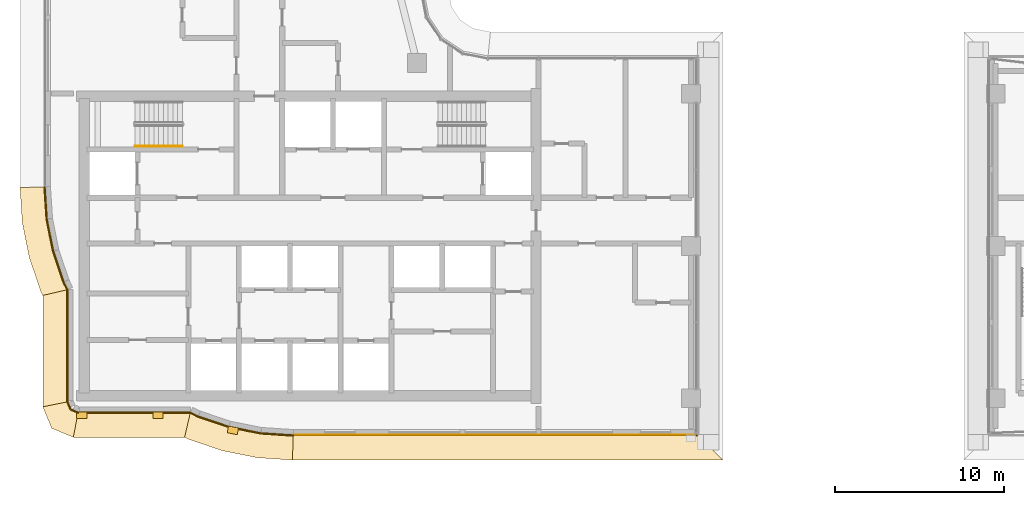
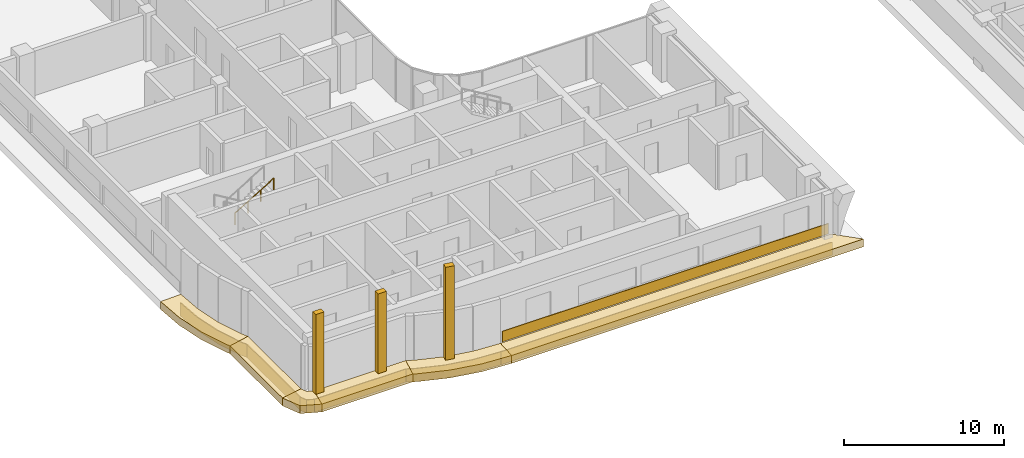
# One storey, part 17 of 26: 16 coverings, 1 railing.
"""IFC4 building model written with IfcOpenShell, lengths in metres."""

from ifc_helpers import new_model, si_unit, direction, frame, origin, origin_2d, place, context, subcontext, project, spatial, polyline, rectangle, circle, outline, extrude, material, layer, layer_set, type_object, element, save


model = new_model("IFC4")

# Units and contexts
model_context = context("Model", 3, precision=1e-05, world=origin(), true_north=direction((0.0, 1.0)))
body_context = subcontext(model_context, "Body", "Model", "MODEL_VIEW")
ifc_project = project(units=[si_unit("LENGTHUNIT", "METRE"), si_unit("AREAUNIT", "SQUARE_METRE"), si_unit("VOLUMEUNIT", "CUBIC_METRE"), si_unit("PLANEANGLEUNIT", "RADIAN"), si_unit("MASSUNIT", "GRAM", prefix="KILO")], contexts=[model_context])

# Site, building, storey
site_placement = place(None, origin())
site = spatial("IfcSite", under=ifc_project, at=site_placement, CompositionType="ELEMENT")
building_placement = place(site_placement, origin())
building = spatial("IfcBuilding", under=site, at=building_placement, Name="Ogive Portal Towers", CompositionType="ELEMENT")
storey_placement = place(building_placement, frame((0.0, 0.0, 171.800048828125)))
storey = spatial("IfcBuildingStorey", under=building, at=storey_placement, Name="L42", CompositionType="ELEMENT", Elevation=171.800048828125)

# Railing
ifc_material_1 = material(Name="Stainless steel handrail", Category="steel")
railing_type = type_object("IfcRailingType", Name="INT-HANDRAIL", PredefinedType="HANDRAIL", material=ifc_material_1)
railing_placement = place(storey_placement, frame((34.64990234375, 36.39990234375, 2.01806640625)))
element("IfcRailing", 1, at=railing_placement, inside=storey, type_object=railing_type, Name="L42 ST-A1 stair handrail 2", PredefinedType="HANDRAIL", context=body_context, shape_type="SweptSolid", body=[
    extrude(circle(Radius=0.02392578125, at=origin_2d()), frame((0.0, 0.0, 0.8759765625), z_axis=(0.857242210791, 0.0, 0.514913383045), x_axis=(0.0, 1.0, 0.0)), (0.0, 0.0, 1.0), 3.266357421875),
    extrude(circle(Radius=0.02099609375, at=origin_2d()), origin(), (0.0, 0.0, 1.0), 0.851806640625),
    extrude(circle(Radius=0.02099609375, at=origin_2d()), frame((0.933349609375, 0.0, 0.560546875)), (0.0, 0.0, 1.0), 0.851806640625),
    extrude(circle(Radius=0.02099609375, at=origin_2d()), frame((1.86669921875, 0.0, 1.121337890625)), (0.0, 0.0, 1.0), 0.851806640625),
    extrude(circle(Radius=0.02099609375, at=origin_2d()), frame((2.800048828125, 0.0, 1.681884765625)), (0.0, 0.0, 1.0), 0.851806640625),
])

# Coverings
ifc_material_2 = material(Name="Limestone cladding on lightweight block wall", Category="masonry")
ifc_layer_1 = layer(ifc_material_2, 0.050048828125)
ifc_layer_set_1 = layer_set([ifc_layer_1], Name="SCREEN PERFORATED STONE")
covering_type_1 = type_object("IfcCoveringType", Name="SCREEN PERFORATED STONE", PredefinedType="CLADDING", material=ifc_layer_set_1)
covering_1_placement = place(storey_placement, frame((55.905029296875, 19.330078125, 0.10009765625), z_axis=(0.0, 0.0, 1.0), x_axis=(1.0, 0.0, 0.0)))
element("IfcCovering", 2, at=covering_1_placement, inside=storey, type_object=covering_type_1, Name="Tracery screen", PredefinedType="CLADDING", context=body_context, shape_type="SweptSolid", body=[
    extrude(rectangle(XDim=23.590087890625, YDim=0.050048828125, at=origin_2d()), origin(), (0.0, 0.0, 1.0), 0.800048828125),
])
ifc_layer_2 = layer(ifc_material_2, 0.39990234375)
ifc_layer_set_2 = layer_set([ifc_layer_2], Name="SPINE PIER STONE")
covering_type_2 = type_object("IfcCoveringType", Name="SPINE PIER STONE", PredefinedType="CLADDING", material=ifc_layer_set_2)
for number, where, z_axis, x_axis, name in (
    (3, (31.5, 20.5, 0.0), (0.0, 0.0, 1.0), (1.0, 0.0, 0.0), "SPINE PIER"),
    (4, (36.0, 20.5, 0.0), (0.0, 0.0, 1.0), (1.0, 0.0, 0.0), "SPINE PIER"),
):
    element("IfcCovering", number, at=place(storey_placement, frame(where, z_axis=z_axis, x_axis=x_axis)), inside=storey, type_object=covering_type_2, Name=name, PredefinedType="CLADDING", context=body_context, shape_type="SweptSolid", body=[
        extrude(rectangle(XDim=0.60009765625, YDim=0.39990234375, at=origin_2d()), origin(), (0.0, 0.0, 1.0), 6.10009765625),
    ])
covering_2_placement = place(storey_placement, frame((40.431640625, 19.60595703125, 0.0), z_axis=(0.0, 0.0, 1.0), x_axis=(0.980785280403, -0.195090322016, 0.0)))
element("IfcCovering", 5, at=covering_2_placement, inside=storey, type_object=covering_type_2, Name="SPINE PIER", PredefinedType="CLADDING", context=body_context, shape_type="SweptSolid", body=[
    extrude(rectangle(XDim=0.60009765625, YDim=0.39990234375, at=origin_2d()), origin(), (0.0, 0.0, 1.0), 7.10009765625),
])
ifc_layer_3 = layer(ifc_material_2, 0.080078125)
ifc_layer_set_3 = layer_set([ifc_layer_3], Name="STONE SPANDREL 80")
covering_type_3 = type_object("IfcCoveringType", Name="STONE SPANDREL 80", PredefinedType="CLADDING", material=ifc_layer_set_3)
covering_3_placement = place(storey_placement, frame((0.0, 0.0, -1.60009765625)))
element("IfcCovering", 6, at=covering_3_placement, inside=storey, type_object=covering_type_3, Name="Stone spandrel A1-F01", PredefinedType="CLADDING", context=body_context, shape_type="SweptSolid", body=[
    extrude(outline(polyline([(30.699951171875, 27.9287109375), (30.699951171875, 21.300048828125), (30.6201171875, 21.2841796875), (30.6201171875, 27.91015625), (30.699951171875, 27.9287109375)])), origin(), (0.0, 0.0, 1.0), 1.0),
])
covering_4_placement = place(storey_placement, frame((0.0, 0.0, -1.60009765625)))
element("IfcCovering", 7, at=covering_4_placement, inside=storey, type_object=covering_type_3, Name="Stone spandrel A1-F02", PredefinedType="CLADDING", context=body_context, shape_type="SweptSolid", body=[
    extrude(outline(polyline([(30.699951171875, 21.300048828125), (30.875732421875, 20.875732421875), (31.300048828125, 20.699951171875), (31.2841796875, 20.6201171875), (30.814453125, 20.814453125), (30.6201171875, 21.2841796875), (30.699951171875, 21.300048828125)])), origin(), (0.0, 0.0, 1.0), 1.0),
])
covering_5_placement = place(storey_placement, frame((0.0, 0.0, -1.60009765625)))
element("IfcCovering", 8, at=covering_5_placement, inside=storey, type_object=covering_type_3, Name="Stone spandrel A1-F03", PredefinedType="CLADDING", context=body_context, shape_type="SweptSolid", body=[
    extrude(outline(polyline([(31.300048828125, 20.699951171875), (37.9287109375, 20.699951171875), (37.91015625, 20.6201171875), (31.2841796875, 20.6201171875), (31.300048828125, 20.699951171875)])), origin(), (0.0, 0.0, 1.0), 1.0),
])
covering_6_placement = place(storey_placement, frame((0.0, 0.0, -1.60009765625)))
element("IfcCovering", 9, at=covering_6_placement, inside=storey, type_object=covering_type_3, Name="Stone spandrel A1-F04", PredefinedType="CLADDING", context=body_context, shape_type="SweptSolid", body=[
    extrude(outline(polyline([(37.9287109375, 20.699951171875), (38.3955078125, 20.4697265625), (40.209716796875, 19.85400390625), (42.08837890625, 19.480224609375), (44.0, 19.35498046875), (43.997314453125, 19.27490234375), (42.077880859375, 19.40087890625), (40.18896484375, 19.776611328125), (38.364990234375, 20.395751953125), (37.91015625, 20.6201171875), (37.9287109375, 20.699951171875)])), origin(), (0.0, 0.0, 1.0), 1.0),
])
covering_7_placement = place(storey_placement, frame((0.0, 0.0, -1.60009765625)))
element("IfcCovering", 10, at=covering_7_placement, inside=storey, type_object=covering_type_3, Name="Stone spandrel A1-F05", PredefinedType="CLADDING", context=body_context, shape_type="SweptSolid", body=[
    extrude(outline(polyline([(44.0, 19.35498046875), (67.8798828125, 19.35498046875), (67.9599609375, 19.27490234375), (43.997314453125, 19.27490234375), (44.0, 19.35498046875)])), origin(), (0.0, 0.0, 1.0), 1.0),
])
covering_8_placement = place(storey_placement, frame((0.0, 0.0, -1.60009765625)))
element("IfcCovering", 11, at=covering_8_placement, inside=storey, type_object=covering_type_3, Name="Stone spandrel A1-F12", PredefinedType="CLADDING", context=body_context, shape_type="SweptSolid", body=[
    extrude(outline(polyline([(29.35498046875, 34.0), (29.480224609375, 32.08837890625), (29.85400390625, 30.209716796875), (30.4697265625, 28.3955078125), (30.699951171875, 27.9287109375), (30.6201171875, 27.91015625), (30.395751953125, 28.364990234375), (29.776611328125, 30.18896484375), (29.40087890625, 32.077880859375), (29.27490234375, 33.997314453125), (29.35498046875, 34.0)])), origin(), (0.0, 0.0, 1.0), 1.0),
])
ifc_layer_4 = layer(ifc_material_2, 0.60009765625)
ifc_layer_set_4 = layer_set([ifc_layer_4], Name="SUNSHADE LIP 600")
covering_type_4 = type_object("IfcCoveringType", Name="SUNSHADE LIP 600", PredefinedType="CLADDING", material=ifc_layer_set_4)
covering_9_placement = place(storey_placement, frame((0.0, 0.0, -0.60009765625)))
element("IfcCovering", 12, at=covering_9_placement, inside=storey, type_object=covering_type_4, Name="Sunshade lip A1-F01", PredefinedType="CLADDING", context=body_context, shape_type="SweptSolid", body=[
    extrude(outline(polyline([(30.699951171875, 27.9287109375), (30.699951171875, 21.300048828125), (29.199951171875, 21.001708984375), (29.199951171875, 27.5791015625), (30.699951171875, 27.9287109375)])), origin(), (0.0, 0.0, 1.0), 0.60009765625),
])
covering_10_placement = place(storey_placement, frame((0.0, 0.0, -0.60009765625)))
element("IfcCovering", 13, at=covering_10_placement, inside=storey, type_object=covering_type_4, Name="Sunshade lip A1-F02", PredefinedType="CLADDING", context=body_context, shape_type="SweptSolid", body=[
    extrude(outline(polyline([(30.699951171875, 21.300048828125), (30.875732421875, 20.875732421875), (31.300048828125, 20.699951171875), (31.001708984375, 19.199951171875), (29.727783203125, 19.727783203125), (29.199951171875, 21.001708984375), (30.699951171875, 21.300048828125)])), origin(), (0.0, 0.0, 1.0), 0.60009765625),
])
covering_11_placement = place(storey_placement, frame((0.0, 0.0, -0.60009765625)))
element("IfcCovering", 14, at=covering_11_placement, inside=storey, type_object=covering_type_4, Name="Sunshade lip A1-F03", PredefinedType="CLADDING", context=body_context, shape_type="SweptSolid", body=[
    extrude(outline(polyline([(31.300048828125, 20.699951171875), (37.9287109375, 20.699951171875), (37.5791015625, 19.199951171875), (31.001708984375, 19.199951171875), (31.300048828125, 20.699951171875)])), origin(), (0.0, 0.0, 1.0), 0.60009765625),
])
covering_12_placement = place(storey_placement, frame((0.0, 0.0, -0.60009765625)))
element("IfcCovering", 15, at=covering_12_placement, inside=storey, type_object=covering_type_4, Name="Sunshade lip A1-F04", PredefinedType="CLADDING", context=body_context, shape_type="SweptSolid", body=[
    extrude(outline(polyline([(37.9287109375, 20.699951171875), (38.3955078125, 20.4697265625), (40.209716796875, 19.85400390625), (42.08837890625, 19.480224609375), (44.0, 19.35498046875), (43.950927734375, 17.85498046875), (41.892333984375, 17.989990234375), (39.820556640625, 18.402099609375), (37.8203125, 19.0810546875), (37.5791015625, 19.199951171875), (37.9287109375, 20.699951171875)])), origin(), (0.0, 0.0, 1.0), 0.60009765625),
])
covering_13_placement = place(storey_placement, frame((0.0, 0.0, -0.60009765625)))
element("IfcCovering", 16, at=covering_13_placement, inside=storey, type_object=covering_type_4, Name="Sunshade lip A1-F05", PredefinedType="CLADDING", context=body_context, shape_type="SweptSolid", body=[
    extrude(outline(polyline([(44.0, 19.35498046875), (67.8798828125, 19.35498046875), (69.3798828125, 17.85498046875), (43.950927734375, 17.85498046875), (44.0, 19.35498046875)])), origin(), (0.0, 0.0, 1.0), 0.60009765625),
])
covering_14_placement = place(storey_placement, frame((0.0, 0.0, -0.60009765625)))
element("IfcCovering", 17, at=covering_14_placement, inside=storey, type_object=covering_type_4, Name="Sunshade lip A1-F12", PredefinedType="CLADDING", context=body_context, shape_type="SweptSolid", body=[
    extrude(outline(polyline([(29.35498046875, 34.0), (29.480224609375, 32.08837890625), (29.85400390625, 30.209716796875), (30.4697265625, 28.3955078125), (30.699951171875, 27.9287109375), (29.199951171875, 27.5791015625), (29.0810546875, 27.8203125), (28.402099609375, 29.820556640625), (27.989990234375, 31.892333984375), (27.85498046875, 33.950927734375), (29.35498046875, 34.0)])), origin(), (0.0, 0.0, 1.0), 0.60009765625),
])

save(model, "model.ifc")
